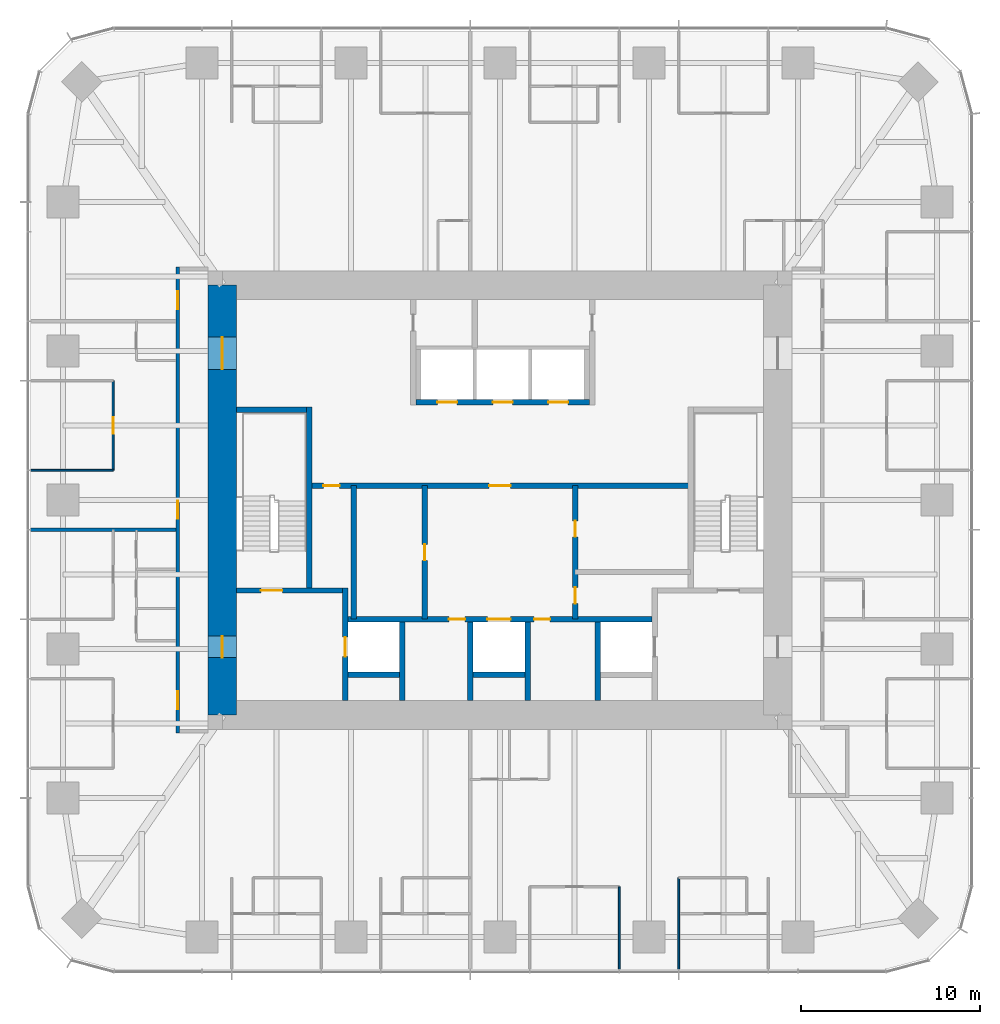
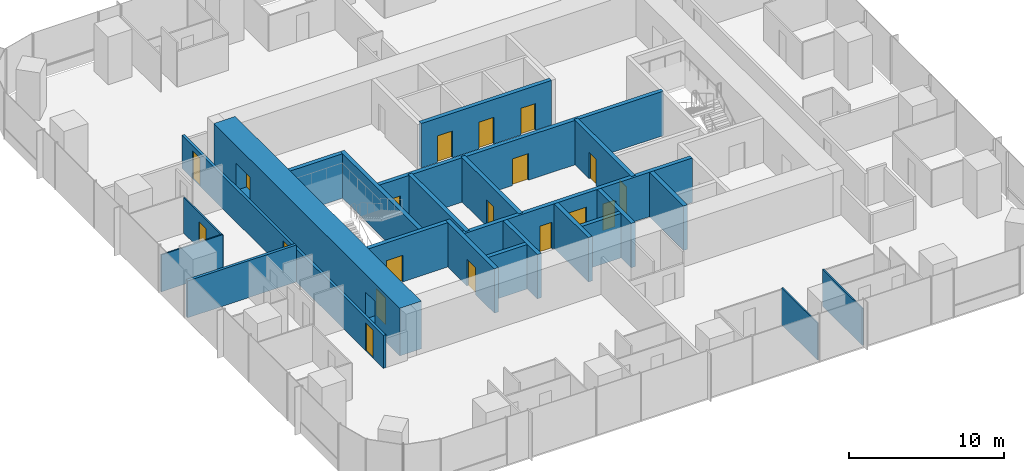
# One storey, part 9 of 12: 23 walls, 19 doors, 19 openings.
"""IFC4 building model written with IfcOpenShell, lengths in metres."""

from ifc_helpers import new_model, si_unit, direction, frame, frame_2d, origin, place, context, subcontext, project, spatial, rectangle, extrude, material, layer, layer_set, type_object, element, fill, save


model = new_model("IFC4")

# Units and contexts
model_context = context("Model", 3, precision=1e-05, world=origin(), true_north=direction((0.0, 1.0)))
body_context = subcontext(model_context, "Body", "Model", "MODEL_VIEW")
ifc_project = project(units=[si_unit("LENGTHUNIT", "METRE"), si_unit("AREAUNIT", "SQUARE_METRE"), si_unit("VOLUMEUNIT", "CUBIC_METRE"), si_unit("PLANEANGLEUNIT", "RADIAN"), si_unit("MASSUNIT", "GRAM", prefix="KILO")], contexts=[model_context])

# Site, building, storey
site_placement = place(None, origin())
site = spatial("IfcSite", under=ifc_project, at=site_placement, CompositionType="ELEMENT")
building_placement = place(site_placement, origin())
building = spatial("IfcBuilding", under=site, at=building_placement, Name="Khuree Lantern Residences", CompositionType="ELEMENT")
storey_placement = place(building_placement, frame((0.0, 0.0, 222.0)))
storey = spatial("IfcBuildingStorey", under=building, at=storey_placement, Name="L55", CompositionType="ELEMENT", Elevation=222.0)

# Wall, opening, door
ifc_material_1 = material(Name="Dense concrete blockwork", Category="masonry")
ifc_layer_1 = layer(ifc_material_1, 0.300048828125)
ifc_layer_set_1 = layer_set([ifc_layer_1], Name="CORE PARTITION WALL CPW300 EI 120")
wall_type_1 = type_object("IfcWallType", Name="CORE PARTITION WALL CPW300 EI 120", PredefinedType="PARTITIONING", material=ifc_layer_set_1)
wall_1_placement = place(storey_placement, frame((-8.64990234375, -11.199951171875, 0.0), z_axis=(0.0, 0.0, 1.0), x_axis=(0.0, 1.0, 0.0)))
wall_1 = element("IfcWall", 1, at=wall_1_placement, inside=storey, type_object=wall_type_1, Name="L55 CORE WALL FL1W", PredefinedType="PARTITIONING", context=body_context, shape_type="SweptSolid", body=[
    extrude(rectangle(XDim=6.300048828125, YDim=0.300048828125, at=frame_2d((3.14990234375, 0.0))), origin(), (0.0, 0.0, 1.0), 3.5),
])
opening_1_placement = place(wall_1_placement, frame((2.449951171875, 0.0, 0.0)))
opening_1 = element("IfcOpeningElement", 2, at=opening_1_placement, cuts=wall_1, Name="Opening 55-007", PredefinedType="OPENING", context=body_context, shape_type="SweptSolid", body=[
    extrude(rectangle(XDim=1.10009765625, YDim=2.10009765625, at=frame_2d((0.550048828125, 1.050048828125))), frame((0.0, 0.16015625, 0.0), z_axis=(0.0, -1.0, 0.0), x_axis=(1.0, 0.0, 0.0)), (0.0, 0.0, 1.0), 0.320068359375),
])
ifc_material_2 = material(Name="Stainless steel lift landing door", Category="steel")
door_type_1 = type_object("IfcDoorType", Name="LIFT LANDING DOOR 1100X2100 E 120", OperationType="DOUBLE_DOOR_SLIDING", PredefinedType="DOOR", material=ifc_material_2)
door_1_placement = place(opening_1_placement, origin())
door_1 = element("IfcDoor", 3, at=door_1_placement, inside=storey, type_object=door_type_1, Name="Landing door FL1 55-007", OperationType="DOUBLE_DOOR_SLIDING", OverallHeight=2.10009765625, OverallWidth=1.10009765625, PredefinedType="DOOR", context=body_context, shape_type="SweptSolid", body=[
    extrude(rectangle(XDim=1.10009765625, YDim=2.10009765625, at=frame_2d((0.550048828125, 1.050048828125))), frame((0.0, 0.02490234375, 0.0), z_axis=(0.0, -1.0, 0.0), x_axis=(1.0, 0.0, 0.0)), (0.0, 0.0, 1.0), 0.050048828125),
])
fill(opening_1, door_1)

# Wall, openings, doors
wall_2_placement = place(storey_placement, frame((-8.5, -6.64990234375, 0.0), z_axis=(0.0, 0.0, 1.0), x_axis=(1.0, 0.0, 0.0)))
wall_2 = element("IfcWall", 4, at=wall_2_placement, inside=storey, type_object=wall_type_1, Name="L55 CORE WALL FLROW", PredefinedType="PARTITIONING", context=body_context, shape_type="SweptSolid", body=[
    extrude(rectangle(XDim=17.0, YDim=0.300048828125, at=frame_2d((8.5, 0.0))), origin(), (0.0, 0.0, 1.0), 3.5),
])
opening_2_placement = place(wall_2_placement, frame((7.800048828125, 0.0, 0.0)))
opening_2 = element("IfcOpeningElement", 5, at=opening_2_placement, cuts=wall_2, Name="Opening 55-012", PredefinedType="OPENING", context=body_context, shape_type="SweptSolid", body=[
    extrude(rectangle(XDim=1.300048828125, YDim=2.39990234375, at=frame_2d((0.64990234375, 1.199951171875))), frame((0.0, 0.16015625, 0.0), z_axis=(0.0, -1.0, 0.0), x_axis=(1.0, 0.0, 0.0)), (0.0, 0.0, 1.0), 0.320068359375),
])
opening_3_placement = place(wall_2_placement, frame((5.64990234375, 0.0, 0.0)))
opening_3 = element("IfcOpeningElement", 6, at=opening_3_placement, cuts=wall_2, Name="Opening 55-014", PredefinedType="OPENING", context=body_context, shape_type="SweptSolid", body=[
    extrude(rectangle(XDim=0.89990234375, YDim=2.10009765625, at=frame_2d((0.449951171875, 1.050048828125))), frame((0.0, 0.16015625, 0.0), z_axis=(0.0, -1.0, 0.0), x_axis=(1.0, 0.0, 0.0)), (0.0, 0.0, 1.0), 0.320068359375),
])
opening_4_placement = place(wall_2_placement, frame((10.39990234375, 0.0, 0.0)))
opening_4 = element("IfcOpeningElement", 7, at=opening_4_placement, cuts=wall_2, Name="Opening 55-015", PredefinedType="OPENING", context=body_context, shape_type="SweptSolid", body=[
    extrude(rectangle(XDim=0.89990234375, YDim=2.10009765625, at=frame_2d((0.449951171875, 1.050048828125))), frame((0.0, 0.16015625, 0.0), z_axis=(0.0, -1.0, 0.0), x_axis=(1.0, 0.0, 0.0)), (0.0, 0.0, 1.0), 0.320068359375),
])
ifc_material_3 = material(Name="Steel door leaf in steel frame", Category="steel")
door_type_2 = type_object("IfcDoorType", Name="DOOR 900X2100 EI 60", OperationType="SINGLE_SWING_LEFT", PredefinedType="DOOR", material=ifc_material_3)
door_2_placement = place(opening_3_placement, origin())
door_2 = element("IfcDoor", 8, at=door_2_placement, inside=storey, type_object=door_type_2, Name="Refuse chute room door 55-014", OperationType="SINGLE_SWING_LEFT", OverallHeight=2.10009765625, OverallWidth=0.89990234375, PredefinedType="DOOR", context=body_context, shape_type="SweptSolid", body=[
    extrude(rectangle(XDim=0.89990234375, YDim=2.10009765625, at=frame_2d((0.449951171875, 1.050048828125))), frame((0.0, 0.02490234375, 0.0), z_axis=(0.0, -1.0, 0.0), x_axis=(1.0, 0.0, 0.0)), (0.0, 0.0, 1.0), 0.050048828125),
])
fill(opening_3, door_2)
door_type_3 = type_object("IfcDoorType", Name="DOOR 900X2100 EI 60 RIGHT HAND", OperationType="SINGLE_SWING_RIGHT", PredefinedType="DOOR", material=ifc_material_3)
door_3_placement = place(opening_4_placement, origin())
door_3 = element("IfcDoor", 9, at=door_3_placement, inside=storey, type_object=door_type_3, Name="Electrical and plumbing riser door 55-015", OperationType="SINGLE_SWING_RIGHT", OverallHeight=2.10009765625, OverallWidth=0.89990234375, PredefinedType="DOOR", context=body_context, shape_type="SweptSolid", body=[
    extrude(rectangle(XDim=0.89990234375, YDim=2.10009765625, at=frame_2d((0.449951171875, 1.050048828125))), frame((0.0, 0.02490234375, 0.0), z_axis=(0.0, -1.0, 0.0), x_axis=(1.0, 0.0, 0.0)), (0.0, 0.0, 1.0), 0.050048828125),
])
fill(opening_4, door_3)
door_type_4 = type_object("IfcDoorType", Name="LIFT LANDING DOOR 1300X2400 E 60", OperationType="DOUBLE_DOOR_SLIDING", PredefinedType="DOOR", material=ifc_material_2)
door_4_placement = place(opening_2_placement, origin())
door_4 = element("IfcDoor", 10, at=door_4_placement, inside=storey, type_object=door_type_4, Name="Landing door SL1 55-012", OperationType="DOUBLE_DOOR_SLIDING", OverallHeight=2.39990234375, OverallWidth=1.300048828125, PredefinedType="DOOR", context=body_context, shape_type="SweptSolid", body=[
    extrude(rectangle(XDim=1.300048828125, YDim=2.39990234375, at=frame_2d((0.64990234375, 1.199951171875))), frame((0.0, 0.02490234375, 0.0), z_axis=(0.0, -1.0, 0.0), x_axis=(1.0, 0.0, 0.0)), (0.0, 0.0, 1.0), 0.050048828125),
])
fill(opening_2, door_4)

# Walls
for number, where, z_axis, x_axis, name in (
    (11, (-5.449951171875, -11.199951171875, 0.0), (0.0, 0.0, 1.0), (0.0, 1.0, 0.0), "L55 CORE WALL FL1E"),
    (12, (-1.64990234375, -11.199951171875, 0.0), (0.0, 0.0, 1.0), (0.0, 1.0, 0.0), "L55 CORE WALL SL1W"),
    (13, (1.550048828125, -11.199951171875, 0.0), (0.0, 0.0, 1.0), (0.0, 1.0, 0.0), "L55 CORE WALL SL1E"),
    (14, (5.449951171875, -11.199951171875, 0.0), (0.0, 0.0, 1.0), (0.0, 1.0, 0.0), "L55 CORE WALL FL2W"),
):
    element("IfcWall", number, at=place(storey_placement, frame(where, z_axis=z_axis, x_axis=x_axis)), inside=storey, type_object=wall_type_1, Name=name, PredefinedType="PARTITIONING", context=body_context, shape_type="SweptSolid", body=[
        extrude(rectangle(XDim=4.39990234375, YDim=0.300048828125, at=frame_2d((2.199951171875, 0.0))), origin(), (0.0, 0.0, 1.0), 3.5),
    ])
for number, where, z_axis, x_axis, name in (
    (15, (-8.5, -9.75, 0.0), (0.0, 0.0, 1.0), (1.0, 0.0, 0.0), "L55 CORE WALL FL1S"),
    (16, (-1.5, -9.75, 0.0), (0.0, 0.0, 1.0), (1.0, 0.0, 0.0), "L55 CORE WALL SL1S"),
):
    element("IfcWall", number, at=place(storey_placement, frame(where, z_axis=z_axis, x_axis=x_axis)), inside=storey, type_object=wall_type_1, Name=name, PredefinedType="PARTITIONING", context=body_context, shape_type="SweptSolid", body=[
        extrude(rectangle(XDim=2.89990234375, YDim=0.300048828125, at=frame_2d((1.449951171875, 0.0))), origin(), (0.0, 0.0, 1.0), 3.5),
    ])

# Wall, openings, doors
wall_3_placement = place(storey_placement, frame((-4.699951171875, 5.449951171875, 0.0), z_axis=(0.0, 0.0, 1.0), x_axis=(1.0, 0.0, 0.0)))
wall_3 = element("IfcWall", 17, at=wall_3_placement, inside=storey, type_object=wall_type_1, Name="L55 CORE WALL PHS", PredefinedType="PARTITIONING", context=body_context, shape_type="SweptSolid", body=[
    extrude(rectangle(XDim=9.699951171875, YDim=0.300048828125, at=frame_2d((4.85009765625, 0.0))), origin(), (0.0, 0.0, 1.0), 3.5),
])
opening_5_placement = place(wall_3_placement, frame((1.199951171875, 0.0, 0.0)))
opening_5 = element("IfcOpeningElement", 18, at=opening_5_placement, cuts=wall_3, Name="Opening 55-009", PredefinedType="OPENING", context=body_context, shape_type="SweptSolid", body=[
    extrude(rectangle(XDim=1.10009765625, YDim=2.10009765625, at=frame_2d((0.550048828125, 1.050048828125))), frame((0.0, 0.16015625, 0.0), z_axis=(0.0, -1.0, 0.0), x_axis=(1.0, 0.0, 0.0)), (0.0, 0.0, 1.0), 0.320068359375),
])
opening_6_placement = place(wall_3_placement, frame((4.300048828125, 0.0, 0.0)))
opening_6 = element("IfcOpeningElement", 19, at=opening_6_placement, cuts=wall_3, Name="Opening 55-010", PredefinedType="OPENING", context=body_context, shape_type="SweptSolid", body=[
    extrude(rectangle(XDim=1.10009765625, YDim=2.10009765625, at=frame_2d((0.550048828125, 1.050048828125))), frame((0.0, 0.16015625, 0.0), z_axis=(0.0, -1.0, 0.0), x_axis=(1.0, 0.0, 0.0)), (0.0, 0.0, 1.0), 0.320068359375),
])
opening_7_placement = place(wall_3_placement, frame((7.39990234375, 0.0, 0.0)))
opening_7 = element("IfcOpeningElement", 20, at=opening_7_placement, cuts=wall_3, Name="Opening 55-011", PredefinedType="OPENING", context=body_context, shape_type="SweptSolid", body=[
    extrude(rectangle(XDim=1.10009765625, YDim=2.10009765625, at=frame_2d((0.550048828125, 1.050048828125))), frame((0.0, 0.16015625, 0.0), z_axis=(0.0, -1.0, 0.0), x_axis=(1.0, 0.0, 0.0)), (0.0, 0.0, 1.0), 0.320068359375),
])
door_type_5 = type_object("IfcDoorType", Name="LIFT LANDING DOOR 1100X2100 E 60", OperationType="DOUBLE_DOOR_SLIDING", PredefinedType="DOOR", material=ifc_material_2)
door_5_placement = place(opening_5_placement, origin())
door_5 = element("IfcDoor", 21, at=door_5_placement, inside=storey, type_object=door_type_5, Name="Landing door PH1 55-009", OperationType="DOUBLE_DOOR_SLIDING", OverallHeight=2.10009765625, OverallWidth=1.10009765625, PredefinedType="DOOR", context=body_context, shape_type="SweptSolid", body=[
    extrude(rectangle(XDim=1.10009765625, YDim=2.10009765625, at=frame_2d((0.550048828125, 1.050048828125))), frame((0.0, 0.02490234375, 0.0), z_axis=(0.0, -1.0, 0.0), x_axis=(1.0, 0.0, 0.0)), (0.0, 0.0, 1.0), 0.050048828125),
])
fill(opening_5, door_5)
door_6_placement = place(opening_6_placement, origin())
door_6 = element("IfcDoor", 22, at=door_6_placement, inside=storey, type_object=door_type_5, Name="Landing door PH2 55-010", OperationType="DOUBLE_DOOR_SLIDING", OverallHeight=2.10009765625, OverallWidth=1.10009765625, PredefinedType="DOOR", context=body_context, shape_type="SweptSolid", body=[
    extrude(rectangle(XDim=1.10009765625, YDim=2.10009765625, at=frame_2d((0.550048828125, 1.050048828125))), frame((0.0, 0.02490234375, 0.0), z_axis=(0.0, -1.0, 0.0), x_axis=(1.0, 0.0, 0.0)), (0.0, 0.0, 1.0), 0.050048828125),
])
fill(opening_6, door_6)
door_7_placement = place(opening_7_placement, origin())
door_7 = element("IfcDoor", 23, at=door_7_placement, inside=storey, type_object=door_type_5, Name="Landing door PH3 55-011", OperationType="DOUBLE_DOOR_SLIDING", OverallHeight=2.10009765625, OverallWidth=1.10009765625, PredefinedType="DOOR", context=body_context, shape_type="SweptSolid", body=[
    extrude(rectangle(XDim=1.10009765625, YDim=2.10009765625, at=frame_2d((0.550048828125, 1.050048828125))), frame((0.0, 0.02490234375, 0.0), z_axis=(0.0, -1.0, 0.0), x_axis=(1.0, 0.0, 0.0)), (0.0, 0.0, 1.0), 0.050048828125),
])
fill(opening_7, door_7)

wall_4_placement = place(storey_placement, frame((-10.64990234375, 0.800048828125, 0.0), z_axis=(0.0, 0.0, 1.0), x_axis=(1.0, 0.0, 0.0)))
wall_4 = element("IfcWall", 24, at=wall_4_placement, inside=storey, type_object=wall_type_1, Name="L55 CORE WALL LLS", PredefinedType="PARTITIONING", context=body_context, shape_type="SweptSolid", body=[
    extrude(rectangle(XDim=21.2998046875, YDim=0.300048828125, at=frame_2d((10.64990234375, 0.0))), origin(), (0.0, 0.0, 1.0), 3.5),
])
opening_8_placement = place(wall_4_placement, frame((10.050048828125, 0.0, 0.0)))
opening_8 = element("IfcOpeningElement", 25, at=opening_8_placement, cuts=wall_4, Name="Opening 55-013", PredefinedType="OPENING", context=body_context, shape_type="SweptSolid", body=[
    extrude(rectangle(XDim=1.199951171875, YDim=2.10009765625, at=frame_2d((0.60009765625, 1.050048828125))), frame((0.0, 0.16015625, 0.0), z_axis=(0.0, -1.0, 0.0), x_axis=(1.0, 0.0, 0.0)), (0.0, 0.0, 1.0), 0.320068359375),
])
opening_9_placement = place(wall_4_placement, frame((0.79296875, 0.0, 0.0)))
opening_9 = element("IfcOpeningElement", 26, at=opening_9_placement, cuts=wall_4, Name="Opening 55-017", PredefinedType="OPENING", context=body_context, shape_type="SweptSolid", body=[
    extrude(rectangle(XDim=0.89990234375, YDim=2.10009765625, at=frame_2d((0.449951171875, 1.050048828125))), frame((0.0, 0.16015625, 0.0), z_axis=(0.0, -1.0, 0.0), x_axis=(1.0, 0.0, 0.0)), (0.0, 0.0, 1.0), 0.320068359375),
])
door_type_6 = type_object("IfcDoorType", Name="DOOR 1200X2100 EI 60", OperationType="SINGLE_SWING_LEFT", PredefinedType="DOOR", material=ifc_material_3)
door_8_placement = place(opening_8_placement, origin())
door_8 = element("IfcDoor", 27, at=door_8_placement, inside=storey, type_object=door_type_6, Name="Service lift lobby door 55-013", OperationType="SINGLE_SWING_LEFT", OverallHeight=2.10009765625, OverallWidth=1.199951171875, PredefinedType="DOOR", context=body_context, shape_type="SweptSolid", body=[
    extrude(rectangle(XDim=1.199951171875, YDim=2.10009765625, at=frame_2d((0.60009765625, 1.050048828125))), frame((0.0, 0.02490234375, 0.0), z_axis=(0.0, -1.0, 0.0), x_axis=(1.0, 0.0, 0.0)), (0.0, 0.0, 1.0), 0.050048828125),
])
fill(opening_8, door_8)
ifc_material_4 = material(Name="Timber door leaf in hardwood frame", Category="wood")
door_type_7 = type_object("IfcDoorType", Name="DOOR 900X2100", OperationType="SINGLE_SWING_LEFT", PredefinedType="DOOR", material=ifc_material_4)
door_9_placement = place(opening_9_placement, origin())
door_9 = element("IfcDoor", 28, at=door_9_placement, inside=storey, type_object=door_type_7, Name="Refuse holding room door 55-017", OperationType="SINGLE_SWING_LEFT", OverallHeight=2.10009765625, OverallWidth=0.89990234375, PredefinedType="DOOR", context=body_context, shape_type="SweptSolid", body=[
    extrude(rectangle(XDim=0.89990234375, YDim=2.10009765625, at=frame_2d((0.449951171875, 1.050048828125))), frame((0.0, 0.02490234375, 0.0), z_axis=(0.0, -1.0, 0.0), x_axis=(1.0, 0.0, 0.0)), (0.0, 0.0, 1.0), 0.050048828125),
])
fill(opening_9, door_9)

# Wall, opening, door
wall_5_placement = place(storey_placement, frame((-4.199951171875, -6.64990234375, 0.0), z_axis=(0.0, 0.0, 1.0), x_axis=(0.0, 1.0, 0.0)))
wall_5 = element("IfcWall", 29, at=wall_5_placement, inside=storey, type_object=wall_type_1, Name="L55 CORE WALL SVW", PredefinedType="PARTITIONING", context=body_context, shape_type="SweptSolid", body=[
    extrude(rectangle(XDim=7.449951171875, YDim=0.300048828125, at=frame_2d((3.72509765625, 0.0))), origin(), (0.0, 0.0, 1.0), 3.5),
])
opening_10_placement = place(wall_5_placement, frame((3.27490234375, 0.0, 0.0)))
opening_10 = element("IfcOpeningElement", 30, at=opening_10_placement, cuts=wall_5, Name="Opening 55-016", PredefinedType="OPENING", context=body_context, shape_type="SweptSolid", body=[
    extrude(rectangle(XDim=0.89990234375, YDim=2.10009765625, at=frame_2d((0.449951171875, 1.050048828125))), frame((0.0, 0.16015625, 0.0), z_axis=(0.0, -1.0, 0.0), x_axis=(1.0, 0.0, 0.0)), (0.0, 0.0, 1.0), 0.320068359375),
])
door_10_placement = place(opening_10_placement, origin())
door_10 = element("IfcDoor", 31, at=door_10_placement, inside=storey, type_object=door_type_7, Name="Residents' store door 55-016", OperationType="SINGLE_SWING_LEFT", OverallHeight=2.10009765625, OverallWidth=0.89990234375, PredefinedType="DOOR", context=body_context, shape_type="SweptSolid", body=[
    extrude(rectangle(XDim=0.89990234375, YDim=2.10009765625, at=frame_2d((0.449951171875, 1.050048828125))), frame((0.0, 0.02490234375, 0.0), z_axis=(0.0, -1.0, 0.0), x_axis=(1.0, 0.0, 0.0)), (0.0, 0.0, 1.0), 0.050048828125),
])
fill(opening_10, door_10)

# Wall, openings, doors
wall_6_placement = place(storey_placement, frame((4.199951171875, -6.64990234375, 0.0), z_axis=(0.0, 0.0, 1.0), x_axis=(0.0, 1.0, 0.0)))
wall_6 = element("IfcWall", 32, at=wall_6_placement, inside=storey, type_object=wall_type_1, Name="L55 CORE WALL SVE", PredefinedType="PARTITIONING", context=body_context, shape_type="SweptSolid", body=[
    extrude(rectangle(XDim=7.449951171875, YDim=0.300048828125, at=frame_2d((3.72509765625, 0.0))), origin(), (0.0, 0.0, 1.0), 3.5),
])
opening_11_placement = place(wall_6_placement, frame((0.865966796875, 0.0, 0.0)))
opening_11 = element("IfcOpeningElement", 33, at=opening_11_placement, cuts=wall_6, Name="Opening 55-018", PredefinedType="OPENING", context=body_context, shape_type="SweptSolid", body=[
    extrude(rectangle(XDim=0.89990234375, YDim=2.10009765625, at=frame_2d((0.449951171875, 1.050048828125))), frame((0.0, 0.16015625, 0.0), z_axis=(0.0, -1.0, 0.0), x_axis=(1.0, 0.0, 0.0)), (0.0, 0.0, 1.0), 0.320068359375),
])
opening_12_placement = place(wall_6_placement, frame((4.591064453125, 0.0, 0.0)))
opening_12 = element("IfcOpeningElement", 34, at=opening_12_placement, cuts=wall_6, Name="Opening 55-019", PredefinedType="OPENING", context=body_context, shape_type="SweptSolid", body=[
    extrude(rectangle(XDim=0.89990234375, YDim=2.10009765625, at=frame_2d((0.449951171875, 1.050048828125))), frame((0.0, 0.16015625, 0.0), z_axis=(0.0, -1.0, 0.0), x_axis=(1.0, 0.0, 0.0)), (0.0, 0.0, 1.0), 0.320068359375),
])
door_11_placement = place(opening_11_placement, origin())
door_11 = element("IfcDoor", 35, at=door_11_placement, inside=storey, type_object=door_type_7, Name="IT room door 55-018", OperationType="SINGLE_SWING_LEFT", OverallHeight=2.10009765625, OverallWidth=0.89990234375, PredefinedType="DOOR", context=body_context, shape_type="SweptSolid", body=[
    extrude(rectangle(XDim=0.89990234375, YDim=2.10009765625, at=frame_2d((0.449951171875, 1.050048828125))), frame((0.0, 0.02490234375, 0.0), z_axis=(0.0, -1.0, 0.0), x_axis=(1.0, 0.0, 0.0)), (0.0, 0.0, 1.0), 0.050048828125),
])
fill(opening_11, door_11)
door_type_8 = type_object("IfcDoorType", Name="DOOR 900X2100 RIGHT HAND", OperationType="SINGLE_SWING_RIGHT", PredefinedType="DOOR", material=ifc_material_4)
door_12_placement = place(opening_12_placement, origin())
door_12 = element("IfcDoor", 36, at=door_12_placement, inside=storey, type_object=door_type_8, Name="Residents' store door 55-019", OperationType="SINGLE_SWING_RIGHT", OverallHeight=2.10009765625, OverallWidth=0.89990234375, PredefinedType="DOOR", context=body_context, shape_type="SweptSolid", body=[
    extrude(rectangle(XDim=0.89990234375, YDim=2.10009765625, at=frame_2d((0.449951171875, 1.050048828125))), frame((0.0, 0.02490234375, 0.0), z_axis=(0.0, -1.0, 0.0), x_axis=(1.0, 0.0, 0.0)), (0.0, 0.0, 1.0), 0.050048828125),
])
fill(opening_12, door_12)

# Wall
wall_7_placement = place(storey_placement, frame((-8.1630859375, -6.64990234375, 0.0), z_axis=(0.0, 0.0, 1.0), x_axis=(0.0, 1.0, 0.0)))
element("IfcWall", 37, at=wall_7_placement, inside=storey, type_object=wall_type_1, Name="L55 CORE WALL WV", PredefinedType="PARTITIONING", context=body_context, shape_type="SweptSolid", body=[
    extrude(rectangle(XDim=7.449951171875, YDim=0.300048828125, at=frame_2d((3.72509765625, 0.0))), origin(), (0.0, 0.0, 1.0), 3.5),
])

# Wall, openings, doors
ifc_material_5 = material(Name="Gypsum board on steel studs", Category="steel")
ifc_layer_2 = layer(ifc_material_5, 0.199951171875)
ifc_layer_set_2 = layer_set([ifc_layer_2], Name="CORRIDOR WALL CRW200 EI 60")
wall_type_2 = type_object("IfcWallType", Name="CORRIDOR WALL CRW200 EI 60", PredefinedType="PARTITIONING", material=ifc_layer_set_2)
wall_8_placement = place(storey_placement, frame((-18.0, 13.0, 0.0), z_axis=(0.0, 0.0, 1.0), x_axis=(0.0, -1.0, 0.0)))
wall_8 = element("IfcWall", 38, at=wall_8_placement, inside=storey, type_object=wall_type_2, Name="L55 CORRIDOR WALL WEST 1", PredefinedType="PARTITIONING", context=body_context, shape_type="SweptSolid", body=[
    extrude(rectangle(XDim=26.0, YDim=0.199951171875, at=frame_2d((13.0, 0.0))), origin(), (0.0, 0.0, 1.0), 2.60009765625),
])
opening_13_placement = place(wall_8_placement, frame((1.35009765625, 0.0, 0.0)))
opening_13 = element("IfcOpeningElement", 39, at=opening_13_placement, cuts=wall_8, Name="Opening 55-036", PredefinedType="OPENING", context=body_context, shape_type="SweptSolid", body=[
    extrude(rectangle(XDim=1.0, YDim=2.199951171875, at=frame_2d((0.5, 1.10009765625))), frame((0.0, 0.10986328125, 0.0), z_axis=(0.0, -1.0, 0.0), x_axis=(1.0, 0.0, 0.0)), (0.0, 0.0, 1.0), 0.219970703125),
])
opening_14_placement = place(wall_8_placement, frame((13.035888671875, 0.0, 0.0)))
opening_14 = element("IfcOpeningElement", 40, at=opening_14_placement, cuts=wall_8, Name="Opening 55-039", PredefinedType="OPENING", context=body_context, shape_type="SweptSolid", body=[
    extrude(rectangle(XDim=1.0, YDim=2.199951171875, at=frame_2d((0.5, 1.10009765625))), frame((0.0, 0.10986328125, 0.0), z_axis=(0.0, -1.0, 0.0), x_axis=(1.0, 0.0, 0.0)), (0.0, 0.0, 1.0), 0.219970703125),
])
opening_15_placement = place(wall_8_placement, frame((23.68408203125, 0.0, 0.0)))
opening_15 = element("IfcOpeningElement", 41, at=opening_15_placement, cuts=wall_8, Name="Opening 55-049", PredefinedType="OPENING", context=body_context, shape_type="SweptSolid", body=[
    extrude(rectangle(XDim=1.0, YDim=2.199951171875, at=frame_2d((0.5, 1.10009765625))), frame((0.0, 0.10986328125, 0.0), z_axis=(0.0, -1.0, 0.0), x_axis=(1.0, 0.0, 0.0)), (0.0, 0.0, 1.0), 0.219970703125),
])
door_type_9 = type_object("IfcDoorType", Name="APARTMENT ENTRANCE DOOR 1000X2200 EI 30S", OperationType="SINGLE_SWING_LEFT", PredefinedType="DOOR", material=ifc_material_4)
door_13_placement = place(opening_13_placement, origin())
door_13 = element("IfcDoor", 42, at=door_13_placement, inside=storey, type_object=door_type_9, Name="Apartment 03 entrance door 55-036", OperationType="SINGLE_SWING_LEFT", OverallHeight=2.199951171875, OverallWidth=1.0, PredefinedType="DOOR", context=body_context, shape_type="SweptSolid", body=[
    extrude(rectangle(XDim=1.0, YDim=2.199951171875, at=frame_2d((0.5, 1.10009765625))), frame((0.0, 0.02490234375, 0.0), z_axis=(0.0, -1.0, 0.0), x_axis=(1.0, 0.0, 0.0)), (0.0, 0.0, 1.0), 0.050048828125),
])
fill(opening_13, door_13)
door_14_placement = place(opening_14_placement, origin())
door_14 = element("IfcDoor", 43, at=door_14_placement, inside=storey, type_object=door_type_9, Name="Apartment 04 entrance door 55-039", OperationType="SINGLE_SWING_LEFT", OverallHeight=2.199951171875, OverallWidth=1.0, PredefinedType="DOOR", context=body_context, shape_type="SweptSolid", body=[
    extrude(rectangle(XDim=1.0, YDim=2.199951171875, at=frame_2d((0.5, 1.10009765625))), frame((0.0, 0.02490234375, 0.0), z_axis=(0.0, -1.0, 0.0), x_axis=(1.0, 0.0, 0.0)), (0.0, 0.0, 1.0), 0.050048828125),
])
fill(opening_14, door_14)
door_type_10 = type_object("IfcDoorType", Name="APARTMENT ENTRANCE DOOR 1000X2200 EI 30S RIGHT HAND", OperationType="SINGLE_SWING_RIGHT", PredefinedType="DOOR", material=ifc_material_4)
door_15_placement = place(opening_15_placement, origin())
door_15 = element("IfcDoor", 44, at=door_15_placement, inside=storey, type_object=door_type_10, Name="Apartment 05 entrance door 55-049", OperationType="SINGLE_SWING_RIGHT", OverallHeight=2.199951171875, OverallWidth=1.0, PredefinedType="DOOR", context=body_context, shape_type="SweptSolid", body=[
    extrude(rectangle(XDim=1.0, YDim=2.199951171875, at=frame_2d((0.5, 1.10009765625))), frame((0.0, 0.02490234375, 0.0), z_axis=(0.0, -1.0, 0.0), x_axis=(1.0, 0.0, 0.0)), (0.0, 0.0, 1.0), 0.050048828125),
])
fill(opening_15, door_15)

ifc_material_6 = material(Name="Concrete C50/60", Category="concrete")
ifc_layer_3 = layer(ifc_material_6, 1.60009765625)
ifc_layer_set_3 = layer_set([ifc_layer_3], Name="CW1600-C50 CORE WALL C50 1600")
wall_type_3 = type_object("IfcWallType", Name="CW1600-C50 CORE WALL C50 1600", PredefinedType="SHEAR", material=ifc_layer_set_3)
wall_9_placement = place(storey_placement, frame((-15.5, -12.0, -0.25), z_axis=(0.0, 0.0, 1.0), x_axis=(0.0, 1.0, 0.0)))
wall_9 = element("IfcWall", 45, at=wall_9_placement, inside=storey, type_object=wall_type_3, Name="Core wall W", PredefinedType="SHEAR", context=body_context, shape_type="SweptSolid", body=[
    extrude(rectangle(XDim=24.0, YDim=1.60009765625, at=frame_2d((12.0, 0.0))), origin(), (0.0, 0.0, 1.0), 3.75),
])
opening_16_placement = place(wall_9_placement, frame((3.199951171875, 0.0, 0.25)))
opening_16 = element("IfcOpeningElement", 46, at=opening_16_placement, cuts=wall_9, Name="Opening 55-002", PredefinedType="OPENING", context=body_context, shape_type="SweptSolid", body=[
    extrude(rectangle(XDim=1.199951171875, YDim=2.10009765625, at=frame_2d((0.60009765625, 1.050048828125))), frame((0.0, 0.81005859375, 0.0), z_axis=(0.0, -1.0, 0.0), x_axis=(1.0, 0.0, 0.0)), (0.0, 0.0, 1.0), 1.6201171875),
])
opening_17_placement = place(wall_9_placement, frame((19.300048828125, 0.0, 0.25)))
opening_17 = element("IfcOpeningElement", 47, at=opening_17_placement, cuts=wall_9, Name="Opening 55-003", PredefinedType="OPENING", context=body_context, shape_type="SweptSolid", body=[
    extrude(rectangle(XDim=1.800048828125, YDim=2.10009765625, at=frame_2d((0.89990234375, 1.050048828125))), frame((0.0, 0.81005859375, 0.0), z_axis=(0.0, -1.0, 0.0), x_axis=(1.0, 0.0, 0.0)), (0.0, 0.0, 1.0), 1.6201171875),
])
door_type_11 = type_object("IfcDoorType", Name="LOBBY DOOR 1200X2100 EI 120", OperationType="SINGLE_SWING_LEFT", PredefinedType="DOOR", material=ifc_material_3)
door_16_placement = place(opening_16_placement, origin())
door_16 = element("IfcDoor", 48, at=door_16_placement, inside=storey, type_object=door_type_11, Name="Firefighting lobby door 55-002", OperationType="SINGLE_SWING_LEFT", OverallHeight=2.10009765625, OverallWidth=1.199951171875, PredefinedType="DOOR", context=body_context, shape_type="SweptSolid", body=[
    extrude(rectangle(XDim=1.199951171875, YDim=2.10009765625, at=frame_2d((0.60009765625, 1.050048828125))), frame((0.0, 0.02490234375, 0.0), z_axis=(0.0, -1.0, 0.0), x_axis=(1.0, 0.0, 0.0)), (0.0, 0.0, 1.0), 0.050048828125),
])
fill(opening_16, door_16)
door_type_12 = type_object("IfcDoorType", Name="LOBBY DOUBLE DOOR 1800X2100 EI 60", OperationType="DOUBLE_DOOR_SINGLE_SWING", PredefinedType="DOOR", material=ifc_material_3)
door_17_placement = place(opening_17_placement, origin())
door_17 = element("IfcDoor", 49, at=door_17_placement, inside=storey, type_object=door_type_12, Name="Lift lobby door 55-003", OperationType="DOUBLE_DOOR_SINGLE_SWING", OverallHeight=2.10009765625, OverallWidth=1.800048828125, PredefinedType="DOOR", context=body_context, shape_type="SweptSolid", body=[
    extrude(rectangle(XDim=1.800048828125, YDim=2.10009765625, at=frame_2d((0.89990234375, 1.050048828125))), frame((0.0, 0.02490234375, 0.0), z_axis=(0.0, -1.0, 0.0), x_axis=(1.0, 0.0, 0.0)), (0.0, 0.0, 1.0), 0.050048828125),
])
fill(opening_17, door_17)

# Walls
ifc_layer_4 = layer(ifc_material_5, 0.199951171875)
ifc_layer_set_4 = layer_set([ifc_layer_4], Name="DEMISING WALL DMW200 EI 90")
wall_type_4 = type_object("IfcWallType", Name="DEMISING WALL DMW200 EI 90", PredefinedType="PARTITIONING", material=ifc_layer_set_4)
wall_10_placement = place(storey_placement, frame((-18.10009765625, -1.6640625, 0.0), z_axis=(0.0, 0.0, 1.0), x_axis=(-1.0, 0.0, 0.0)))
element("IfcWall", 50, at=wall_10_placement, inside=storey, type_object=wall_type_4, Name="L55 DEMISING WALL 05", PredefinedType="PARTITIONING", context=body_context, shape_type="SweptSolid", body=[
    extrude(rectangle(XDim=8.099853515625, YDim=0.199951171875, at=frame_2d((4.0498046875, 0.0))), origin(), (0.0, 0.0, 1.0), 2.909912109375),
])
ifc_layer_5 = layer(ifc_material_5, 0.10009765625)
ifc_layer_set_5 = layer_set([ifc_layer_5], Name="PARTITION PT100")
wall_type_5 = type_object("IfcWallType", Name="PARTITION PT100", PredefinedType="PARTITIONING", material=ifc_layer_set_5)
for number, where, z_axis, x_axis, name in (
    (51, (-21.60009765625, 1.6640625, 0.0), (0.0, 0.0, 1.0), (-1.0, 0.0, 0.0), "L55 PARTITION 04"),
    (52, (6.656005859375, -21.60009765625, 0.0), (0.0, 0.0, 1.0), (0.0, -1.0, 0.0), "L55 PARTITION 06"),
):
    element("IfcWall", number, at=place(storey_placement, frame(where, z_axis=z_axis, x_axis=x_axis)), inside=storey, type_object=wall_type_5, Name=name, PredefinedType="PARTITIONING", context=body_context, shape_type="SweptSolid", body=[
        extrude(rectangle(XDim=4.599853515625, YDim=0.10009765625, at=frame_2d((2.2998046875, 0.0))), origin(), (0.0, 0.0, 1.0), 2.909912109375),
    ])
wall_11_placement = place(storey_placement, frame((9.98388671875, -21.094970703125, 0.0), z_axis=(0.0, 0.0, 1.0), x_axis=(0.0, -1.0, 0.0)))
element("IfcWall", 53, at=wall_11_placement, inside=storey, type_object=wall_type_5, Name="L55 PARTITION 06", PredefinedType="PARTITIONING", context=body_context, shape_type="SweptSolid", body=[
    extrude(rectangle(XDim=5.10498046875, YDim=0.10009765625, at=frame_2d((2.552490234375, 0.0))), origin(), (0.0, 0.0, 1.0), 2.909912109375),
])

# Wall, opening, door
wall_12_placement = place(storey_placement, frame((-21.60009765625, 6.656005859375, 0.0), z_axis=(0.0, 0.0, 1.0), x_axis=(0.0, -1.0, 0.0)))
wall_12 = element("IfcWall", 54, at=wall_12_placement, inside=storey, type_object=wall_type_5, Name="L55 PARTITION 04", PredefinedType="PARTITIONING", context=body_context, shape_type="SweptSolid", body=[
    extrude(rectangle(XDim=4.991943359375, YDim=0.10009765625, at=frame_2d((2.49609375, 0.0))), origin(), (0.0, 0.0, 1.0), 2.81005859375),
])
opening_18_placement = place(wall_12_placement, frame((2.0458984375, 0.0, 0.0)))
opening_18 = element("IfcOpeningElement", 55, at=opening_18_placement, cuts=wall_12, Name="Opening 55-037", PredefinedType="OPENING", context=body_context, shape_type="SweptSolid", body=[
    extrude(rectangle(XDim=0.89990234375, YDim=2.10009765625, at=frame_2d((0.449951171875, 1.050048828125))), frame((0.0, 0.06005859375, 0.0), z_axis=(0.0, -1.0, 0.0), x_axis=(1.0, 0.0, 0.0)), (0.0, 0.0, 1.0), 0.1201171875),
])
door_type_13 = type_object("IfcDoorType", Name="BEDROOM DOOR 900X2100", OperationType="SINGLE_SWING_LEFT", PredefinedType="DOOR", material=ifc_material_4)
door_18_placement = place(opening_18_placement, origin())
door_18 = element("IfcDoor", 56, at=door_18_placement, inside=storey, type_object=door_type_13, Name="Bedroom door 55-037", OperationType="SINGLE_SWING_LEFT", OverallHeight=2.10009765625, OverallWidth=0.89990234375, PredefinedType="DOOR", context=body_context, shape_type="SweptSolid", body=[
    extrude(rectangle(XDim=0.89990234375, YDim=2.10009765625, at=frame_2d((0.449951171875, 1.050048828125))), frame((0.0, 0.02490234375, 0.0), z_axis=(0.0, -1.0, 0.0), x_axis=(1.0, 0.0, 0.0)), (0.0, 0.0, 1.0), 0.050048828125),
])
fill(opening_18, door_18)

# Wall
ifc_layer_6 = layer(ifc_material_6, 0.300048828125)
ifc_layer_set_6 = layer_set([ifc_layer_6], Name="STAIR WALL SRW300 C50/60 REI 240")
wall_type_6 = type_object("IfcWallType", Name="STAIR WALL SRW300 C50/60 REI 240", PredefinedType="SOLIDWALL", material=ifc_layer_set_6)
wall_13_placement = place(storey_placement, frame((-10.64990234375, -4.89990234375, 0.0), z_axis=(0.0, 0.0, 1.0), x_axis=(0.0, 1.0, 0.0)))
element("IfcWall", 57, at=wall_13_placement, inside=storey, type_object=wall_type_6, Name="L55 STAIR WALL ST1E", PredefinedType="SOLIDWALL", context=body_context, shape_type="SweptSolid", body=[
    extrude(rectangle(XDim=10.099853515625, YDim=0.300048828125, at=frame_2d((5.0498046875, 0.0))), origin(), (0.0, 0.0, 1.0), 3.5),
])

# Wall, opening, door
wall_14_placement = place(storey_placement, frame((-14.699951171875, -5.050048828125, 0.0), z_axis=(0.0, 0.0, 1.0), x_axis=(1.0, 0.0, 0.0)))
wall_14 = element("IfcWall", 58, at=wall_14_placement, inside=storey, type_object=wall_type_6, Name="L55 STAIR WALL ST1S", PredefinedType="SOLIDWALL", context=body_context, shape_type="SweptSolid", body=[
    extrude(rectangle(XDim=5.89990234375, YDim=0.300048828125, at=frame_2d((2.949951171875, 0.0))), origin(), (0.0, 0.0, 1.0), 3.5),
])
opening_19_placement = place(wall_14_placement, frame((1.35009765625, 0.0, 0.0)))
opening_19 = element("IfcOpeningElement", 59, at=opening_19_placement, cuts=wall_14, Name="Opening 55-001", PredefinedType="OPENING", context=body_context, shape_type="SweptSolid", body=[
    extrude(rectangle(XDim=1.199951171875, YDim=2.10009765625, at=frame_2d((0.60009765625, 1.050048828125))), frame((0.0, 0.16015625, 0.0), z_axis=(0.0, -1.0, 0.0), x_axis=(1.0, 0.0, 0.0)), (0.0, 0.0, 1.0), 0.320068359375),
])
door_type_14 = type_object("IfcDoorType", Name="STAIR DOOR 1200X2100 EI 120", OperationType="SINGLE_SWING_LEFT", PredefinedType="DOOR", material=ifc_material_3)
door_19_placement = place(opening_19_placement, origin())
door_19 = element("IfcDoor", 60, at=door_19_placement, inside=storey, type_object=door_type_14, Name="Stair ST1 door 55-001", OperationType="SINGLE_SWING_LEFT", OverallHeight=2.10009765625, OverallWidth=1.199951171875, PredefinedType="DOOR", context=body_context, shape_type="SweptSolid", body=[
    extrude(rectangle(XDim=1.199951171875, YDim=2.10009765625, at=frame_2d((0.60009765625, 1.050048828125))), frame((0.0, 0.02490234375, 0.0), z_axis=(0.0, -1.0, 0.0), x_axis=(1.0, 0.0, 0.0)), (0.0, 0.0, 1.0), 0.050048828125),
])
fill(opening_19, door_19)

# Wall
wall_15_placement = place(storey_placement, frame((-14.699951171875, 5.050048828125, 0.0), z_axis=(0.0, 0.0, 1.0), x_axis=(1.0, 0.0, 0.0)))
element("IfcWall", 61, at=wall_15_placement, inside=storey, type_object=wall_type_6, Name="L55 STAIR WALL ST1N", PredefinedType="SOLIDWALL", context=body_context, shape_type="SweptSolid", body=[
    extrude(rectangle(XDim=3.89990234375, YDim=0.300048828125, at=frame_2d((1.949951171875, 0.0))), origin(), (0.0, 0.0, 1.0), 3.5),
])

save(model, "model.ifc")
